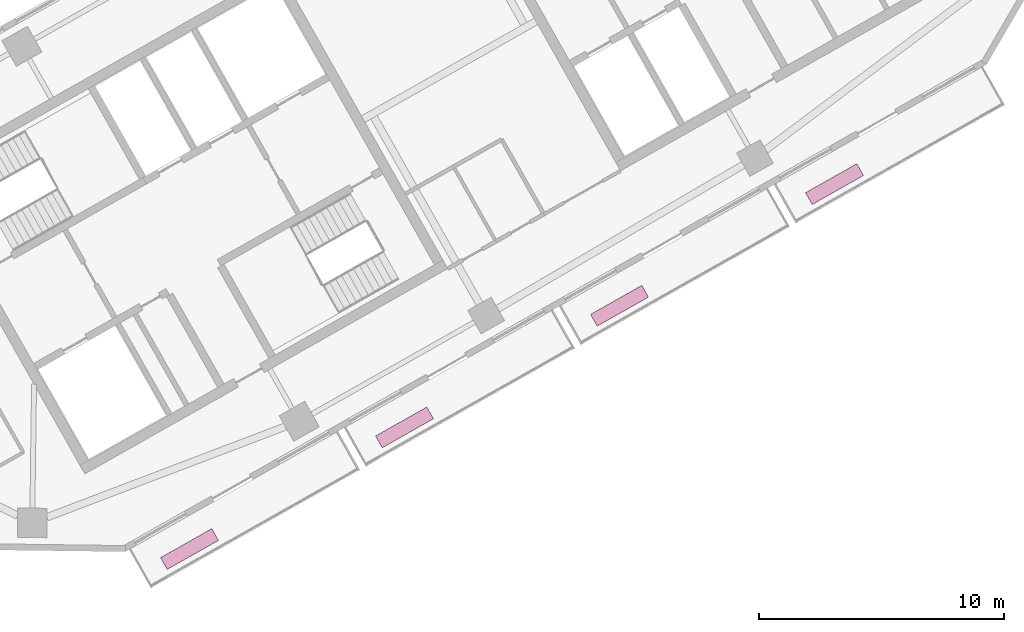
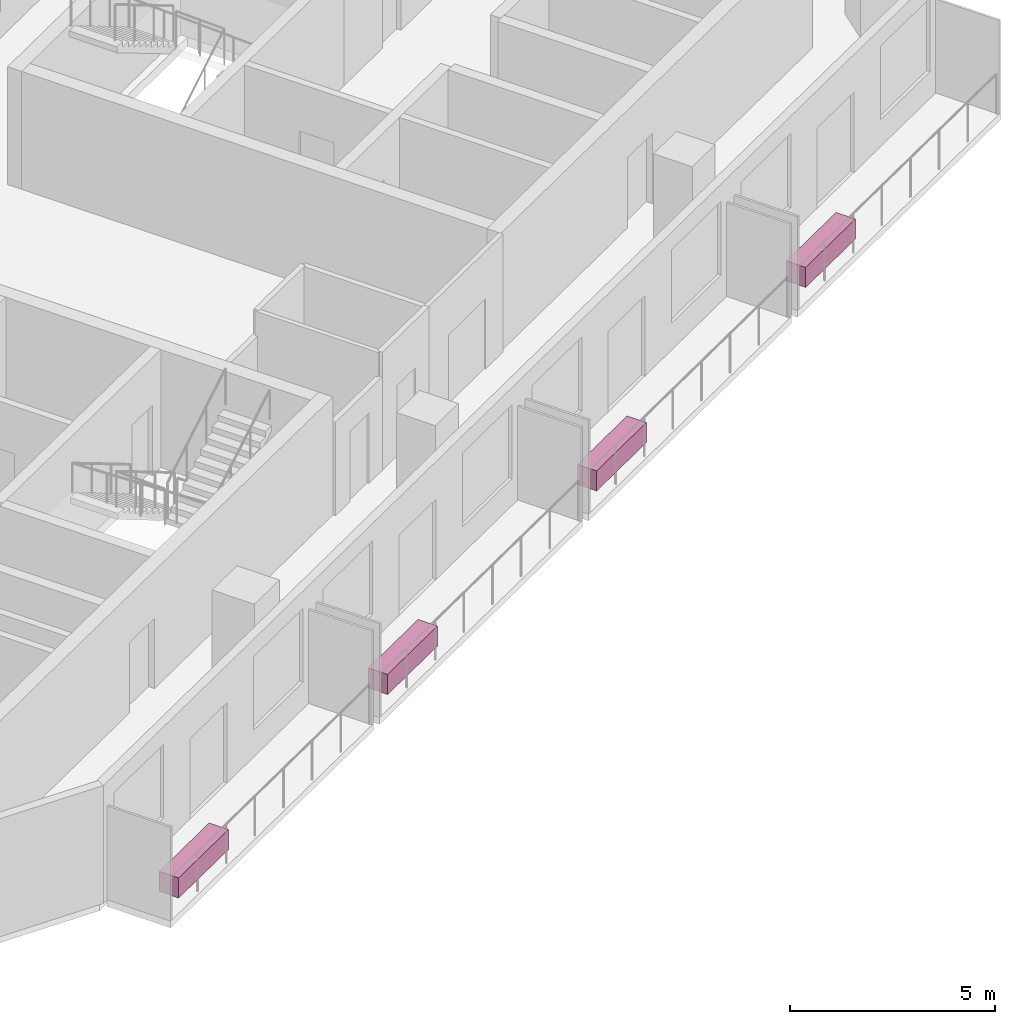
# One storey, part 7 of 7: 4 furnishings.
"""IFC4 building model written with IfcOpenShell, lengths in metres."""

import ifcopenshell
import ifcopenshell.guid

model = None  # the IFC model being written
_history = None  # IfcOwnerHistory: only IFC2X3 demands one
_inside = {}  # id of a spatial element -> (the spatial element, [elements in it])
_under = {}  # id of a project, library or spatial element -> (it, [spatial elements below it])
_declared = {}  # id of a project -> (the project, [libraries it declares])
_typed = {}  # id of a type object -> (the type object, [elements of that type])
_made_of = {}  # id of a material, layer set ... -> (it, [elements and type objects made of it])


def new_model(schema):
    """Start an empty IFC model of exactly this schema.

    Asked for "IFC4X3", IfcOpenShell would pick the latest addendum, in which some entities
    have other attributes; the version numbers below select the first issue.
    IFC2X3 requires an IfcOwnerHistory on every rooted entity: one is made here for all.
    """
    global model, _history
    if schema == "IFC4X3":
        model = ifcopenshell.file(schema_version=(4, 3, 0, 0))
    else:
        model = ifcopenshell.file(schema=schema)
    _inside.clear()
    _under.clear()
    _declared.clear()
    _typed.clear()
    _made_of.clear()
    _history = None
    if model.schema == "IFC2X3":
        org = make("IfcOrganization", Name="unknown")
        user = make(
            "IfcPersonAndOrganization",
            ThePerson=make("IfcPerson", FamilyName="unknown"),
            TheOrganization=org,
        )
        app = make(
            "IfcApplication",
            ApplicationDeveloper=org,
            Version="unknown",
            ApplicationFullName="unknown",
            ApplicationIdentifier="unknown",
        )
        _history = make(
            "IfcOwnerHistory",
            OwningUser=user,
            OwningApplication=app,
            ChangeAction="ADDED",
            CreationDate=0,
        )
    return model


def make(cls, **values):
    """One entity of the class cls with the attributes given. An attribute that is None is left unset."""
    return model.create_entity(
        cls, **{name: value for name, value in values.items() if value is not None}
    )


def rooted(cls, **values):
    """An entity with a GlobalId (a new one), such as an element, a storey or a relation."""
    return make(cls, GlobalId=ifcopenshell.guid.new(), OwnerHistory=_history, **values)


def si_unit(unit_type, name, prefix=None):
    """IfcSIUnit, for example si_unit("LENGTHUNIT", "METRE", prefix="MILLI")."""
    return make("IfcSIUnit", UnitType=unit_type, Prefix=prefix, Name=name)


def assignment(units):
    """IfcUnitAssignment: the units of a project."""
    return None if units is None else make("IfcUnitAssignment", Units=units)


def point(xyz):
    """IfcCartesianPoint."""
    return None if xyz is None else make("IfcCartesianPoint", Coordinates=xyz)


def direction(xyz):
    """IfcDirection."""
    return None if xyz is None else make("IfcDirection", DirectionRatios=xyz)


def frame(location, z_axis=None, x_axis=None):
    """IfcAxis2Placement3D, a coordinate frame: its origin and axes. An axis left out is left unset."""
    return make(
        "IfcAxis2Placement3D",
        Location=point(location),
        Axis=direction(z_axis),
        RefDirection=direction(x_axis),
    )


def frame_2d(location, x_axis=None):
    """IfcAxis2Placement2D, a coordinate frame in the plane: its origin and x axis."""
    return make(
        "IfcAxis2Placement2D", Location=point(location), RefDirection=direction(x_axis)
    )


def origin():
    """The frame at (0, 0, 0) with its axes left unset."""
    return frame((0.0, 0.0, 0.0))


def origin_2d():
    """The frame at (0, 0) in the plane with its x axis left unset."""
    return frame_2d((0.0, 0.0))


def place(relative_to, where):
    """IfcLocalPlacement: puts the frame where relative to a parent placement (None: the world)."""
    return make(
        "IfcLocalPlacement", PlacementRelTo=relative_to, RelativePlacement=where
    )


def context(
    kind, dimensions, precision=None, world=None, true_north=None, identifier=None
):
    """IfcGeometricRepresentationContext, for example the 3D "Model" context."""
    return make(
        "IfcGeometricRepresentationContext",
        ContextIdentifier=identifier,
        ContextType=kind,
        CoordinateSpaceDimension=dimensions,
        Precision=precision,
        WorldCoordinateSystem=world,
        TrueNorth=true_north,
    )


def subcontext(parent, identifier, kind, view, scale=None):
    """IfcGeometricRepresentationSubContext, for example "Body" below "Model"."""
    return make(
        "IfcGeometricRepresentationSubContext",
        ContextIdentifier=identifier,
        ContextType=kind,
        ParentContext=parent,
        TargetScale=scale,
        TargetView=view,
    )


def project(units=None, contexts=None):
    """IfcProject with its units and contexts."""
    return rooted(
        "IfcProject",
        Name="project",
        RepresentationContexts=contexts,
        UnitsInContext=assignment(units),
    )


def spatial(cls, under=None, at=None, **own):
    """A site, building, storey or space (cls), placed at a placement, below another one or the project."""
    s = rooted(cls, ObjectPlacement=at, **own)
    if under is not None:
        _under.setdefault(under.id(), (under, []))[1].append(s)
    return s


def profile(cls, at=None, kind="AREA", **sizes):
    """A parametric profile (cls). Its sizes go by their IFC names, for example OverallWidth=200.0."""
    return make(cls, ProfileType=kind, Position=at, **sizes)


def rectangle(**sizes):
    """IfcRectangleProfileDef."""
    return profile("IfcRectangleProfileDef", **sizes)


def extrude(swept, where, along, depth):
    """IfcExtrudedAreaSolid: the profile swept, set in the frame where, extruded along a direction by depth."""
    return make(
        "IfcExtrudedAreaSolid",
        SweptArea=swept,
        Position=where,
        ExtrudedDirection=direction(along),
        Depth=depth,
    )


def shape(context_of_items, identifier, shape_type, items):
    """IfcShapeRepresentation: the items that make up one representation, for example the "Body"."""
    return make(
        "IfcShapeRepresentation",
        ContextOfItems=context_of_items,
        RepresentationIdentifier=identifier,
        RepresentationType=shape_type,
        Items=items,
    )


def material(Name=None, Category=None):
    """IfcMaterial."""
    return make("IfcMaterial", Name=Name, Category=Category)


def made_of(thing, what):
    """Note that an element or type object is made of a material, layer set ...; save() writes the relation."""
    if what is not None:
        _made_of.setdefault(what.id(), (what, []))[1].append(thing)
    return thing


def type_object(cls, material=None, **own):
    """A type object (cls), such as IfcWallType, which elements share."""
    return made_of(rooted(cls, **own), material)


def element(
    cls,
    number,
    at=None,
    inside=None,
    cuts=None,
    type_object=None,
    material=None,
    context=None,
    identifier="Body",
    shape_type=None,
    held_by="IfcProductDefinitionShape",
    body=None,
    shapes=None,
    **own,
):
    """One element of the class cls, such as IfcWall. Its Tag is "e" and its number.

    at: its placement. inside: the storey or other place that contains it. cuts: it is an
    opening in that element (IfcRelVoidsElement). A single representation is given by context,
    identifier, shape_type and body (its items); several are given by shapes. held_by: the class
    of the entity that holds the representations. save() writes the other relations.
    """
    e = rooted(cls, Tag="e%d" % number, ObjectPlacement=at, **own)
    if body is not None:
        shapes = [shape(context, identifier, shape_type, body)]
    if shapes is not None:
        e.Representation = make(held_by, Representations=shapes)
    if inside is not None:
        _inside.setdefault(inside.id(), (inside, []))[1].append(e)
    if cuts is not None:
        rooted(
            "IfcRelVoidsElement", RelatingBuildingElement=cuts, RelatedOpeningElement=e
        )
    if type_object is not None:
        _typed.setdefault(type_object.id(), (type_object, []))[1].append(e)
    return made_of(e, material)


def aggregate(whole, parts):
    """IfcRelAggregates: a whole, such as a stair, and the parts it consists of."""
    return rooted("IfcRelAggregates", RelatingObject=whole, RelatedObjects=parts)


def save(model, path):
    """Write the relations noted so far, then the file.

    IfcRelAggregates (storeys below a building ...), IfcRelContainedInSpatialStructure (elements
    in a storey), IfcRelDefinesByType, IfcRelAssociatesMaterial and IfcRelDeclares: one each for
    every whole, place, type object, material and project.
    """
    for whole, parts in _under.values():
        aggregate(whole, parts)
    for where, things in _inside.values():
        rooted(
            "IfcRelContainedInSpatialStructure",
            RelatedElements=things,
            RelatingStructure=where,
        )
    for kind, things in _typed.values():
        rooted("IfcRelDefinesByType", RelatedObjects=things, RelatingType=kind)
    for what, things in _made_of.values():
        rooted("IfcRelAssociatesMaterial", RelatedObjects=things, RelatingMaterial=what)
    for by, libraries in _declared.values():
        rooted("IfcRelDeclares", RelatingContext=by, RelatedDefinitions=libraries)
    model.write(path)


model = new_model("IFC4")

# Units and contexts
model_context = context("Model", 3, precision=1e-05, world=origin(), true_north=direction((0.0, 1.0)))
body_context = subcontext(model_context, "Body", "Model", "MODEL_VIEW")
ifc_project = project(units=[si_unit("LENGTHUNIT", "METRE"), si_unit("AREAUNIT", "SQUARE_METRE"), si_unit("VOLUMEUNIT", "CUBIC_METRE"), si_unit("PLANEANGLEUNIT", "RADIAN"), si_unit("MASSUNIT", "GRAM", prefix="KILO")], contexts=[model_context])

# Site, building, storey
site_placement = place(None, origin())
site = spatial("IfcSite", under=ifc_project, at=site_placement, CompositionType="ELEMENT")
building_placement = place(site_placement, origin())
building = spatial("IfcBuilding", under=site, at=building_placement, Name="Binnacle Exchange Tower", CompositionType="ELEMENT")
storey_placement = place(building_placement, frame((0.0, 0.0, 296.89990234375)))
storey = spatial("IfcBuildingStorey", under=building, at=storey_placement, Name="L66", CompositionType="ELEMENT", Elevation=296.89990234375)

# Furnishings
ifc_material = material(Name="Concrete C35/45", Category="concrete")
furnishing_element_type = type_object("IfcFurnishingElementType", Name="PLANTER 2400x550x600", material=ifc_material)
for number, where, z_axis, x_axis, name in (
    (1, (-35.44677734375, 26.428466796875, 0.0), (0.0, 0.0, 1.0), (0.87035569594, 0.492423560103, 0.0), "Planter H07-B00a L66"),
    (2, (-26.683837890625, 31.38623046875, 0.0), (0.0, 0.0, 1.0), (0.87035569594, 0.492423560103, 0.0), "Planter H07-B01a L66"),
    (3, (-17.9208984375, 36.34423828125, 0.0), (0.0, 0.0, 1.0), (0.87035569594, 0.492423560103, 0.0), "Planter H07-B02a L66"),
    (4, (-9.158203125, 41.302001953125, 0.0), (0.0, 0.0, 1.0), (0.87035569594, 0.492423560103, 0.0), "Planter H07-B03a L66"),
):
    element("IfcFurnishingElement", number, at=place(storey_placement, frame(where, z_axis=z_axis, x_axis=x_axis)), inside=storey, type_object=furnishing_element_type, Name=name, ObjectType="PLANTER", context=body_context, shape_type="SweptSolid", body=[
        extrude(rectangle(XDim=2.39990234375, YDim=0.550048828125, at=origin_2d()), origin(), (0.0, 0.0, 1.0), 0.60009765625),
    ])

save(model, "model.ifc")
